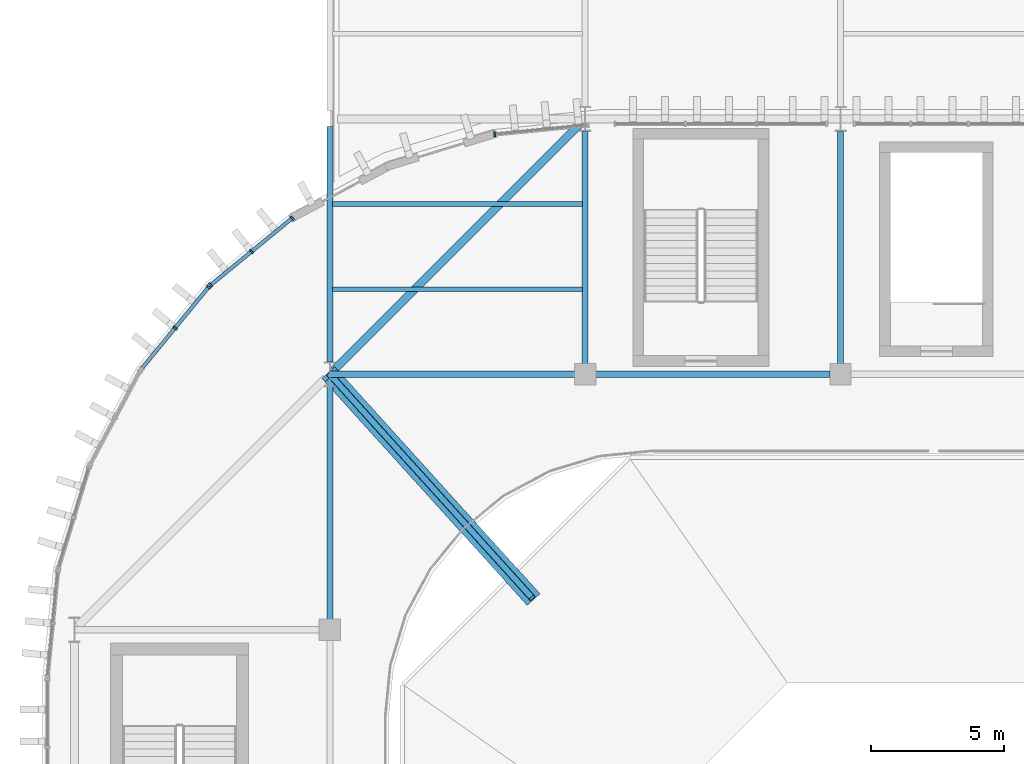
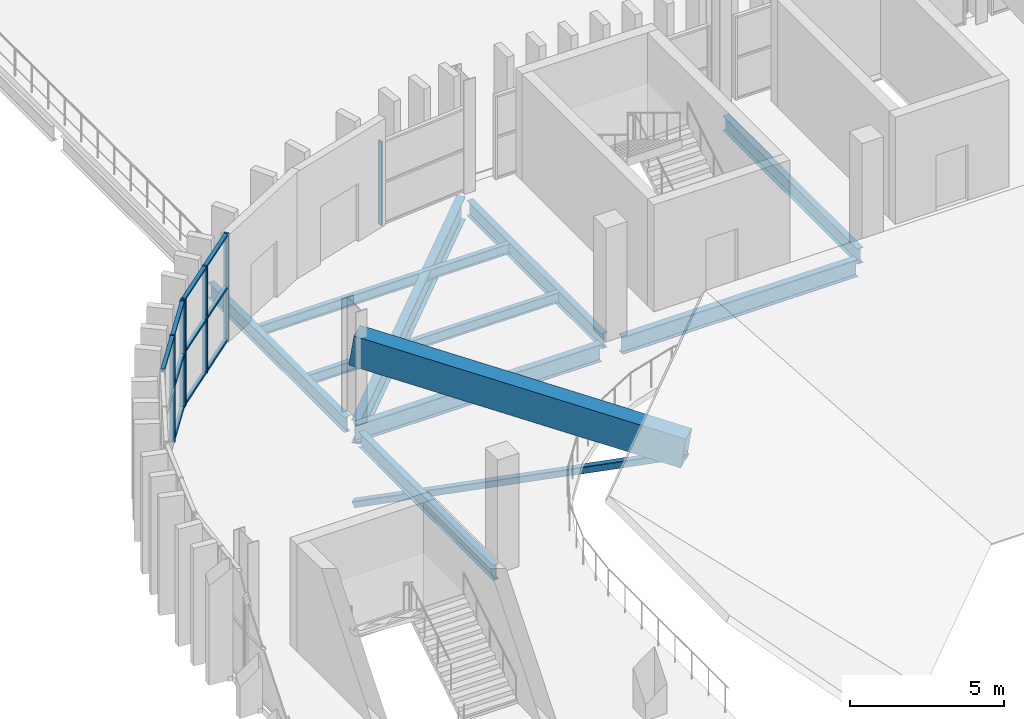
# One storey, part 25 of 69: 17 members, 10 beams, 3 elements without a shape of their own.
"""IFC4 building model written with IfcOpenShell, lengths in metres."""

from ifc_helpers import new_model, si_unit, direction, frame, origin, origin_2d, place, context, subcontext, project, spatial, rectangle, hollow_rectangle, i_section, extrude, material, layer, layer_set, material_profile, profile_set, type_object, element, aggregate, save


model = new_model("IFC4")

# Units and contexts
model_context = context("Model", 3, precision=1e-05, world=origin(), true_north=direction((0.0, 1.0)))
body_context = subcontext(model_context, "Body", "Model", "MODEL_VIEW")
ifc_project = project(units=[si_unit("LENGTHUNIT", "METRE"), si_unit("AREAUNIT", "SQUARE_METRE"), si_unit("VOLUMEUNIT", "CUBIC_METRE"), si_unit("PLANEANGLEUNIT", "RADIAN"), si_unit("MASSUNIT", "GRAM", prefix="KILO")], contexts=[model_context])

# Site, building, storey
site_placement = place(None, origin())
site = spatial("IfcSite", under=ifc_project, at=site_placement, CompositionType="ELEMENT")
building_placement = place(site_placement, origin())
building = spatial("IfcBuilding", under=site, at=building_placement, Name="Caelomonte Colonnade Arena", CompositionType="ELEMENT")
storey_placement = place(building_placement, frame((0.0, 0.0, 18.60009765625)))
storey = spatial("IfcBuildingStorey", under=building, at=storey_placement, Name="L04", CompositionType="ELEMENT", Elevation=18.60009765625)

# Curtain wall, member
ifc_material_1 = material(Name="Bronze anodised aluminium and low-E glazing", Category="aluminium")
ifc_layer_1 = layer(ifc_material_1, 0.179931640625)
ifc_layer_set_1 = layer_set([ifc_layer_1], Name="Bronze anodised aluminium and low-E glazing")
curtain_wall_type_1 = type_object("IfcCurtainWallType", Name="ENV-CW-CW-L04-42-33", PredefinedType="USERDEFINED", material=ifc_layer_set_1)
curtain_wall_1_placement = place(storey_placement, origin())
curtain_wall_1 = element("IfcCurtainWall", 1, at=curtain_wall_1_placement, inside=storey, type_object=curtain_wall_type_1, Name="L04 unitized curtain wall CW-L04-0753-1148", ObjectType="UNITIZED CURTAIN WALL", PredefinedType="USERDEFINED")
ifc_material_2 = material(Name="Bronze anodised aluminium AA6063-T6", Category="aluminium")
ifc_material_profile_1 = material_profile(ifc_material_2, rectangle(XDim=0.070068359375, YDim=0.179931640625, at=origin_2d()), Name="CWM-70X180")
ifc_profile_set_1 = profile_set([ifc_material_profile_1], Name="Bronze anodised aluminium AA6063-T6")
member_type_1 = type_object("IfcMemberType", Name="ENV-CW-MULL1", PredefinedType="MULLION", material=ifc_profile_set_1)
member_1_placement = place(storey_placement, frame((73.3955078125, 114.624755859375, 0.0), z_axis=(0.0, 0.0, 1.0), x_axis=(-0.995184334909, -0.098021117887, 0.0)))
member_1 = element("IfcMember", 2, at=member_1_placement, type_object=member_type_1, Name="CW-L04-42-33 mullion 2", PredefinedType="MULLION", context=body_context, shape_type="SweptSolid", body=[
    extrude(rectangle(XDim=0.070068359375, YDim=0.179931640625, at=origin_2d()), origin(), (0.0, 0.0, 1.0), 3.312744140625),
])
aggregate(curtain_wall_1, [member_1])

# Curtain wall, members
ifc_layer_2 = layer(ifc_material_1, 0.179931640625)
ifc_layer_set_2 = layer_set([ifc_layer_2], Name="Bronze anodised aluminium and low-E glazing")
curtain_wall_type_2 = type_object("IfcCurtainWallType", Name="ENV-CW-CW-L04-44-42", PredefinedType="USERDEFINED", material=ifc_layer_set_2)
curtain_wall_2_placement = place(storey_placement, origin())
curtain_wall_2 = element("IfcCurtainWall", 3, at=curtain_wall_2_placement, inside=storey, type_object=curtain_wall_type_2, Name="L04 unitized curtain wall CW-L04-0643-1102", ObjectType="UNITIZED CURTAIN WALL", PredefinedType="USERDEFINED")
member_2_placement = place(storey_placement, frame((65.789306640625, 111.47412109375, 0.0), z_axis=(0.0, 0.0, 1.0), x_axis=(-0.772991751994, -0.634416071163, 0.0)))
member_2 = element("IfcMember", 4, at=member_2_placement, type_object=member_type_1, Name="CW-L04-44-42 mullion 1", PredefinedType="MULLION", context=body_context, shape_type="SweptSolid", body=[
    extrude(rectangle(XDim=0.070068359375, YDim=0.179931640625, at=origin_2d()), origin(), (0.0, 0.0, 1.0), 4.239990234375),
])
member_3_placement = place(storey_placement, frame((64.256103515625, 110.2158203125, 0.0), z_axis=(0.0, 0.0, 1.0), x_axis=(-0.772991751994, -0.634416071163, 0.0)))
member_3 = element("IfcMember", 5, at=member_3_placement, type_object=member_type_1, Name="CW-L04-44-42 mullion 2", PredefinedType="MULLION", context=body_context, shape_type="SweptSolid", body=[
    extrude(rectangle(XDim=0.070068359375, YDim=0.179931640625, at=origin_2d()), origin(), (0.0, 0.0, 1.0), 4.239990234375),
])
member_4_placement = place(storey_placement, frame((62.722900390625, 108.95751953125, 0.0), z_axis=(0.0, 0.0, 1.0), x_axis=(-0.772991751994, -0.634416071163, 0.0)))
member_4 = element("IfcMember", 6, at=member_4_placement, type_object=member_type_1, Name="CW-L04-44-42 mullion 3", PredefinedType="MULLION", context=body_context, shape_type="SweptSolid", body=[
    extrude(rectangle(XDim=0.070068359375, YDim=0.179931640625, at=origin_2d()), origin(), (0.0, 0.0, 1.0), 4.239990234375),
])

curtain_wall_3_placement = place(storey_placement, origin())
curtain_wall_3 = element("IfcCurtainWall", 7, at=curtain_wall_3_placement, inside=storey, type_object=curtain_wall_type_2, Name="L04 unitized curtain wall CW-L04-0614-1073", ObjectType="UNITIZED CURTAIN WALL", PredefinedType="USERDEFINED")
member_5_placement = place(storey_placement, frame((62.642333984375, 108.876953125, 0.0), z_axis=(0.0, 0.0, 1.0), x_axis=(-0.634416071163, -0.772991751994, 0.0)))
member_5 = element("IfcMember", 8, at=member_5_placement, type_object=member_type_1, Name="CW-L04-44-42 mullion 1", PredefinedType="MULLION", context=body_context, shape_type="SweptSolid", body=[
    extrude(rectangle(XDim=0.070068359375, YDim=0.179931640625, at=origin_2d()), origin(), (0.0, 0.0, 1.0), 4.239990234375),
])
member_6_placement = place(storey_placement, frame((61.384033203125, 107.343994140625, 0.0), z_axis=(0.0, 0.0, 1.0), x_axis=(-0.634416071163, -0.772991751994, 0.0)))
member_6 = element("IfcMember", 9, at=member_6_placement, type_object=member_type_1, Name="CW-L04-44-42 mullion 2", PredefinedType="MULLION", context=body_context, shape_type="SweptSolid", body=[
    extrude(rectangle(XDim=0.070068359375, YDim=0.179931640625, at=origin_2d()), origin(), (0.0, 0.0, 1.0), 4.239990234375),
])

# Member
ifc_material_profile_2 = material_profile(ifc_material_2, rectangle(XDim=0.070068359375, YDim=0.139892578125, at=origin_2d()), Name="CWT-70X140")
ifc_profile_set_2 = profile_set([ifc_material_profile_2], Name="Bronze anodised aluminium AA6063-T6")
member_type_2 = type_object("IfcMemberType", Name="ENV-CW-TRAN1", PredefinedType="USERDEFINED", material=ifc_profile_set_2)
member_7_placement = place(storey_placement, frame((65.76220703125, 111.451904296875, 0.034912109375), z_axis=(-0.772989936128, -0.634418283662, 0.0), x_axis=(0.0, 0.0, 1.0)))
member_7 = element("IfcMember", 10, at=member_7_placement, type_object=member_type_2, Name="CW-L04-44-42 transom 1.1", ObjectType="TRANSOM", PredefinedType="USERDEFINED", context=body_context, shape_type="SweptSolid", body=[
    extrude(rectangle(XDim=0.070068359375, YDim=0.139892578125, at=origin_2d()), origin(), (0.0, 0.0, 1.0), 1.913330078125),
])

member_8_placement = place(storey_placement, frame((65.76220703125, 111.451904296875, 2.119873046875), z_axis=(-0.772989936128, -0.634418283662, 0.0), x_axis=(0.0, 0.0, 1.0)))
member_8 = element("IfcMember", 11, at=member_8_placement, type_object=member_type_2, Name="CW-L04-44-42 transom 1.2", ObjectType="TRANSOM", PredefinedType="USERDEFINED", context=body_context, shape_type="SweptSolid", body=[
    extrude(rectangle(XDim=0.070068359375, YDim=0.139892578125, at=origin_2d()), origin(), (0.0, 0.0, 1.0), 1.913330078125),
])

member_9_placement = place(storey_placement, frame((65.76220703125, 111.451904296875, 4.204833984375), z_axis=(-0.772989936128, -0.634418283662, 0.0), x_axis=(0.0, 0.0, 1.0)))
member_9 = element("IfcMember", 12, at=member_9_placement, type_object=member_type_2, Name="CW-L04-44-42 transom 1.3", ObjectType="TRANSOM", PredefinedType="USERDEFINED", context=body_context, shape_type="SweptSolid", body=[
    extrude(rectangle(XDim=0.070068359375, YDim=0.139892578125, at=origin_2d()), origin(), (0.0, 0.0, 1.0), 1.913330078125),
])

member_10_placement = place(storey_placement, frame((64.22900390625, 110.193603515625, 0.034912109375), z_axis=(-0.772989936128, -0.634418283662, 0.0), x_axis=(0.0, 0.0, 1.0)))
member_10 = element("IfcMember", 13, at=member_10_placement, type_object=member_type_2, Name="CW-L04-44-42 transom 2.1", ObjectType="TRANSOM", PredefinedType="USERDEFINED", context=body_context, shape_type="SweptSolid", body=[
    extrude(rectangle(XDim=0.070068359375, YDim=0.139892578125, at=origin_2d()), origin(), (0.0, 0.0, 1.0), 1.913330078125),
])

member_11_placement = place(storey_placement, frame((64.22900390625, 110.193603515625, 2.119873046875), z_axis=(-0.772989936128, -0.634418283662, 0.0), x_axis=(0.0, 0.0, 1.0)))
member_11 = element("IfcMember", 14, at=member_11_placement, type_object=member_type_2, Name="CW-L04-44-42 transom 2.2", ObjectType="TRANSOM", PredefinedType="USERDEFINED", context=body_context, shape_type="SweptSolid", body=[
    extrude(rectangle(XDim=0.070068359375, YDim=0.139892578125, at=origin_2d()), origin(), (0.0, 0.0, 1.0), 1.913330078125),
])

member_12_placement = place(storey_placement, frame((64.22900390625, 110.193603515625, 4.204833984375), z_axis=(-0.772989936128, -0.634418283662, 0.0), x_axis=(0.0, 0.0, 1.0)))
member_12 = element("IfcMember", 15, at=member_12_placement, type_object=member_type_2, Name="CW-L04-44-42 transom 2.3", ObjectType="TRANSOM", PredefinedType="USERDEFINED", context=body_context, shape_type="SweptSolid", body=[
    extrude(rectangle(XDim=0.070068359375, YDim=0.139892578125, at=origin_2d()), origin(), (0.0, 0.0, 1.0), 1.913330078125),
])

aggregate(curtain_wall_2, [member_2, member_3, member_4, member_7, member_8, member_9, member_10, member_11, member_12])

member_13_placement = place(storey_placement, frame((62.6201171875, 108.85009765625, 0.034912109375), z_axis=(-0.634355713729, -0.773041285094, 0.0), x_axis=(0.0, 0.0, 1.0)))
member_13 = element("IfcMember", 16, at=member_13_placement, type_object=member_type_2, Name="CW-L04-44-42 transom 1.1", ObjectType="TRANSOM", PredefinedType="USERDEFINED", context=body_context, shape_type="SweptSolid", body=[
    extrude(rectangle(XDim=0.070068359375, YDim=0.139892578125, at=origin_2d()), origin(), (0.0, 0.0, 1.0), 1.91357421875),
])

member_14_placement = place(storey_placement, frame((62.6201171875, 108.85009765625, 2.119873046875), z_axis=(-0.634355713729, -0.773041285094, 0.0), x_axis=(0.0, 0.0, 1.0)))
member_14 = element("IfcMember", 17, at=member_14_placement, type_object=member_type_2, Name="CW-L04-44-42 transom 1.2", ObjectType="TRANSOM", PredefinedType="USERDEFINED", context=body_context, shape_type="SweptSolid", body=[
    extrude(rectangle(XDim=0.070068359375, YDim=0.139892578125, at=origin_2d()), origin(), (0.0, 0.0, 1.0), 1.91357421875),
])

member_15_placement = place(storey_placement, frame((62.6201171875, 108.85009765625, 4.204833984375), z_axis=(-0.634355713729, -0.773041285094, 0.0), x_axis=(0.0, 0.0, 1.0)))
member_15 = element("IfcMember", 18, at=member_15_placement, type_object=member_type_2, Name="CW-L04-44-42 transom 1.3", ObjectType="TRANSOM", PredefinedType="USERDEFINED", context=body_context, shape_type="SweptSolid", body=[
    extrude(rectangle(XDim=0.070068359375, YDim=0.139892578125, at=origin_2d()), origin(), (0.0, 0.0, 1.0), 1.91357421875),
])

member_16_placement = place(storey_placement, frame((61.36181640625, 107.31689453125, 4.204833984375), z_axis=(-0.634418283662, -0.772989936128, 0.0), x_axis=(0.0, 0.0, 1.0)))
member_16 = element("IfcMember", 19, at=member_16_placement, type_object=member_type_2, Name="CW-L04-44-42 transom 2.3", ObjectType="TRANSOM", PredefinedType="USERDEFINED", context=body_context, shape_type="SweptSolid", body=[
    extrude(rectangle(XDim=0.070068359375, YDim=0.139892578125, at=origin_2d()), origin(), (0.0, 0.0, 1.0), 1.913330078125),
])

aggregate(curtain_wall_3, [member_5, member_6, member_13, member_14, member_15, member_16])

ifc_material_3 = material(Name="Steel ASTM A500 Grade C", Category="steel")
ifc_material_profile_3 = material_profile(ifc_material_3, hollow_rectangle(XDim=0.25390625, YDim=0.25390625, WallThickness=0.0126953125, InnerFilletRadius=0.0126953125, OuterFilletRadius=0.025390625, at=origin_2d()), Name="HSS254X254X12.7")
ifc_profile_set_3 = profile_set([ifc_material_profile_3], Name="Steel ASTM A500 Grade C")
member_type_3 = type_object("IfcMemberType", Name="STR-BF-DIAG1", PredefinedType="BRACE", material=ifc_profile_set_3)
member_17_placement = place(storey_placement, frame((67.199951171875, 105.60009765625, -3.400146484375), z_axis=(0.625389570552, -0.691223223706, 0.362075047544), x_axis=(0.741537310868, 0.670911630985, 0.0)))
element("IfcMember", 20, at=member_17_placement, inside=storey, type_object=member_type_3, Name="Upper bowl corner raker knee strut NW", PredefinedType="BRACE", context=body_context, shape_type="SweptSolid", body=[
    extrude(hollow_rectangle(XDim=0.25390625, YDim=0.25390625, WallThickness=0.0126953125, InnerFilletRadius=0.0126953125, OuterFilletRadius=0.025390625, at=origin_2d()), origin(), (0.0, 0.0, 1.0), 12.152587890625),
])

# Beams
ifc_material_4 = material(Name="Wide-flange steel ASTM A992 Grade 50", Category="steel")
ifc_material_profile_4 = material_profile(ifc_material_4, i_section(OverallWidth=0.307861328125, OverallDepth=0.927001953125, WebThickness=0.019287109375, FlangeThickness=0.031982421875, FilletRadius=0.020263671875, at=origin_2d()), Name="W36X194")
ifc_profile_set_4 = profile_set([ifc_material_profile_4], Name="Wide-flange steel ASTM A992 Grade 50")
beam_type_1 = type_object("IfcBeamType", Name="STR-BM-EAVES2", PredefinedType="SPANDREL", material=ifc_profile_set_4)
beam_1_placement = place(storey_placement, frame((76.656005859375, 115.055908203125, -0.7236328125), z_axis=(-0.707106781187, -0.707106781187, 0.0), x_axis=(0.707106781187, -0.707106781187, 0.0)))
element("IfcBeam", 21, at=beam_1_placement, inside=storey, type_object=beam_type_1, Name="L04 drum corner ring girder 7", PredefinedType="SPANDREL", context=body_context, shape_type="SweptSolid", body=[
    extrude(i_section(OverallWidth=0.307861328125, OverallDepth=0.927001953125, WebThickness=0.019287109375, FlangeThickness=0.031982421875, FilletRadius=0.020263671875, at=origin_2d()), origin(), (0.0, 0.0, 1.0), 13.169189453125),
])
ifc_material_profile_5 = material_profile(ifc_material_4, i_section(OverallWidth=0.227783203125, OverallDepth=0.60205078125, WebThickness=0.010498046875, FlangeThickness=0.014892578125, FilletRadius=0.0126953125, at=origin_2d()), Name="W24X68")
ifc_profile_set_5 = profile_set([ifc_material_profile_5], Name="Wide-flange steel ASTM A992 Grade 50")
beam_type_2 = type_object("IfcBeamType", Name="STR-BM-GIRD24B", PredefinedType="SPANDREL", material=ifc_profile_set_5)
beam_2_placement = place(storey_placement, frame((67.199951171875, 96.39208984375, -0.56103515625), z_axis=(0.0, 1.0, 0.0), x_axis=(-1.0, 0.0, 0.0)))
element("IfcBeam", 22, at=beam_2_placement, inside=storey, type_object=beam_type_2, Name="L04 girder BMY-L04-0672-0960", PredefinedType="SPANDREL", context=body_context, shape_type="SweptSolid", body=[
    extrude(i_section(OverallWidth=0.227783203125, OverallDepth=0.60205078125, WebThickness=0.010498046875, FlangeThickness=0.014892578125, FilletRadius=0.0126953125, at=origin_2d()), origin(), (0.0, 0.0, 1.0), 8.7421875),
])
beam_3_placement = place(storey_placement, frame((67.199951171875, 106.065673828125, -0.56103515625), z_axis=(0.0, 1.0, 0.0), x_axis=(-1.0, 0.0, 0.0)))
element("IfcBeam", 23, at=beam_3_placement, inside=storey, type_object=beam_type_2, Name="L04 girder BMY-L04-0672-1056", PredefinedType="SPANDREL", context=body_context, shape_type="SweptSolid", body=[
    extrude(i_section(OverallWidth=0.227783203125, OverallDepth=0.60205078125, WebThickness=0.010498046875, FlangeThickness=0.014892578125, FilletRadius=0.0126953125, at=origin_2d()), origin(), (0.0, 0.0, 1.0), 8.84228515625),
])
for number, where, z_axis, x_axis, name in (
    (24, (76.800048828125, 105.991943359375, -0.56103515625), (0.0, 1.0, 0.0), (-1.0, 0.0, 0.0), "L04 girder BMY-L04-0768-1056"),
    (25, (86.39990234375, 105.991943359375, -0.56103515625), (0.0, 1.0, 0.0), (-1.0, 0.0, 0.0), "L04 girder BMY-L04-0864-1056"),
):
    element("IfcBeam", number, at=place(storey_placement, frame(where, z_axis=z_axis, x_axis=x_axis)), inside=storey, type_object=beam_type_2, Name=name, PredefinedType="SPANDREL", context=body_context, shape_type="SweptSolid", body=[
        extrude(i_section(OverallWidth=0.227783203125, OverallDepth=0.60205078125, WebThickness=0.010498046875, FlangeThickness=0.014892578125, FilletRadius=0.0126953125, at=origin_2d()), origin(), (0.0, 0.0, 1.0), 8.742431640625),
    ])
ifc_material_profile_6 = material_profile(ifc_material_4, i_section(OverallWidth=0.253662109375, OverallDepth=0.683349609375, WebThickness=0.012451171875, FlangeThickness=0.018798828125, FilletRadius=0.01513671875, at=origin_2d()), Name="W27X94")
ifc_profile_set_6 = profile_set([ifc_material_profile_6], Name="Wide-flange steel ASTM A992 Grade 50")
beam_type_3 = type_object("IfcBeamType", Name="STR-BM-GIRD27", PredefinedType="BEAM", material=ifc_profile_set_6)
beam_4_placement = place(storey_placement, frame((67.2119140625, 105.60009765625, -0.601806640625), z_axis=(1.0, 0.0, 0.0), x_axis=(0.0, 1.0, 0.0)))
element("IfcBeam", 26, at=beam_4_placement, inside=storey, type_object=beam_type_3, Name="L04 girder BMX-L04-0672-1056", PredefinedType="BEAM", context=body_context, shape_type="SweptSolid", body=[
    extrude(i_section(OverallWidth=0.253662109375, OverallDepth=0.683349609375, WebThickness=0.012451171875, FlangeThickness=0.018798828125, FilletRadius=0.01513671875, at=origin_2d()), origin(), (0.0, 0.0, 1.0), 9.196044921875),
])
beam_5_placement = place(storey_placement, frame((77.19189453125, 105.60009765625, -0.601806640625), z_axis=(1.0, 0.0, 0.0), x_axis=(0.0, 1.0, 0.0)))
element("IfcBeam", 27, at=beam_5_placement, inside=storey, type_object=beam_type_3, Name="L04 girder BMX-L04-0768-1056", PredefinedType="BEAM", context=body_context, shape_type="SweptSolid", body=[
    extrude(i_section(OverallWidth=0.253662109375, OverallDepth=0.683349609375, WebThickness=0.012451171875, FlangeThickness=0.018798828125, FilletRadius=0.01513671875, at=origin_2d()), origin(), (0.0, 0.0, 1.0), 8.816162109375),
])
ifc_material_profile_7 = material_profile(ifc_material_4, i_section(OverallWidth=0.177734375, OverallDepth=0.406494140625, WebThickness=0.0078125, FlangeThickness=0.0126953125, FilletRadius=0.01025390625, at=origin_2d()), Name="W16X40")
ifc_profile_set_7 = profile_set([ifc_material_profile_7], Name="Wide-flange steel ASTM A992 Grade 50")
beam_type_4 = type_object("IfcBeamType", Name="STR-BM-JOIST16", PredefinedType="JOIST", material=ifc_profile_set_7)
for number, where, z_axis, x_axis, name in (
    (28, (67.308837890625, 108.800048828125, -0.46337890625), (1.0, 0.0, 0.0), (0.0, 1.0, 0.0), "L04 secondary joist 1"),
    (29, (67.308837890625, 112.0, -0.46337890625), (1.0, 0.0, 0.0), (0.0, 1.0, 0.0), "L04 secondary joist 2"),
):
    element("IfcBeam", number, at=place(storey_placement, frame(where, z_axis=z_axis, x_axis=x_axis)), inside=storey, type_object=beam_type_4, Name=name, PredefinedType="JOIST", context=body_context, shape_type="SweptSolid", body=[
        extrude(i_section(OverallWidth=0.177734375, OverallDepth=0.406494140625, WebThickness=0.0078125, FlangeThickness=0.0126953125, FilletRadius=0.01025390625, at=origin_2d()), origin(), (0.0, 0.0, 1.0), 9.38232421875),
    ])
ifc_material_5 = material(Name="Concrete C50/60", Category="concrete")
ifc_material_profile_8 = material_profile(ifc_material_5, rectangle(XDim=0.64990234375, YDim=1.199951171875, at=origin_2d()), Name="RC650X1200")
ifc_profile_set_8 = profile_set([ifc_material_profile_8], Name="Concrete C50/60")
beam_type_5 = type_object("IfcBeamType", Name="STR-BM-RKU", PredefinedType="USERDEFINED", material=ifc_profile_set_8)
beam_6_placement = place(storey_placement, frame((67.199951171875, 105.60009765625, 2.85986328125), z_axis=(0.663822842943, -0.733702298655, -0.144983344336), x_axis=(0.741537310868, 0.670911630985, 0.0)))
element("IfcBeam", 30, at=beam_6_placement, inside=storey, type_object=beam_type_5, Name="Upper bowl corner raker girder NW", ObjectType="RAKER", PredefinedType="USERDEFINED", context=body_context, shape_type="SweptSolid", body=[
    extrude(rectangle(XDim=0.64990234375, YDim=1.199951171875, at=origin_2d()), origin(), (0.0, 0.0, 1.0), 11.448974609375),
])

save(model, "model.ifc")
